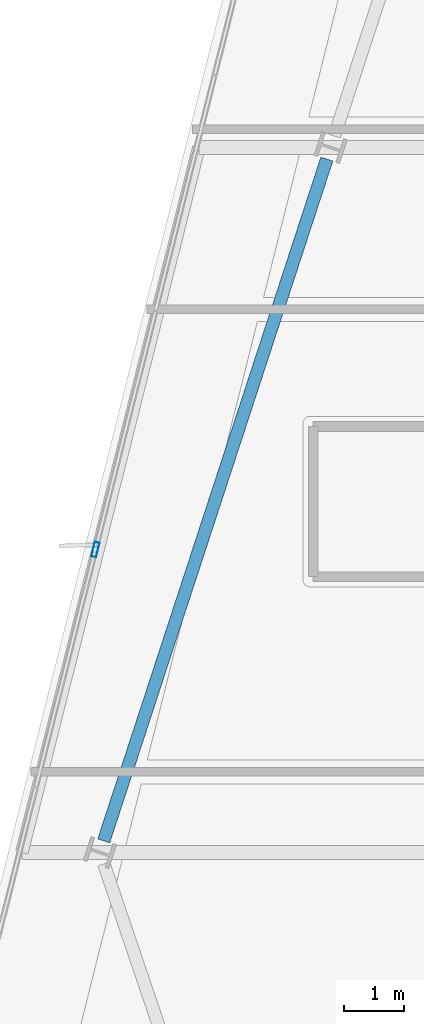
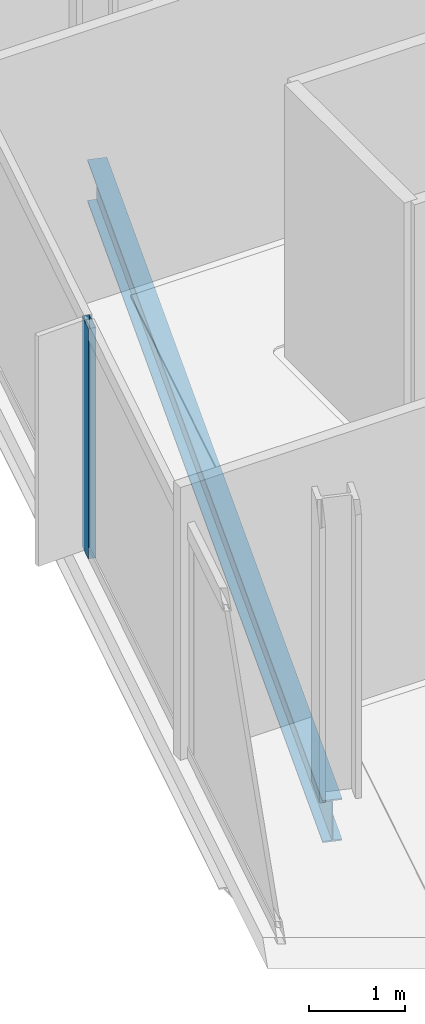
# One storey, part 6 of 28: 1 beam, 1 member, 1 element without a shape of its own.
"""IFC4 building model written with IfcOpenShell, lengths in metres."""

from ifc_helpers import new_model, si_unit, direction, frame, origin, origin_2d, place, context, subcontext, project, spatial, hollow_rectangle, i_section, extrude, material, material_profile, profile_set, type_object, element, aggregate, save


model = new_model("IFC4")

# Units and contexts
model_context = context("Model", 3, precision=1e-05, world=origin(), true_north=direction((0.0, 1.0)))
body_context = subcontext(model_context, "Body", "Model", "MODEL_VIEW")
ifc_project = project(units=[si_unit("LENGTHUNIT", "METRE"), si_unit("AREAUNIT", "SQUARE_METRE"), si_unit("VOLUMEUNIT", "CUBIC_METRE"), si_unit("PLANEANGLEUNIT", "RADIAN"), si_unit("MASSUNIT", "GRAM", prefix="KILO")], contexts=[model_context])

# Site, building, storey
site_placement = place(None, origin())
site = spatial("IfcSite", under=ifc_project, at=site_placement, CompositionType="ELEMENT")
building_placement = place(site_placement, origin())
building = spatial("IfcBuilding", under=site, at=building_placement, Name="Haldenkirk Collegiate Tower", CompositionType="ELEMENT")
storey_placement = place(building_placement, frame((0.0, 0.0, 282.449951171875)))
storey = spatial("IfcBuildingStorey", under=building, at=storey_placement, Name="L71", CompositionType="ELEMENT", Elevation=282.449951171875)

# Beam
ifc_material_1 = material(Name="Steel ASTM A992 Grade 50", Category="steel")
ifc_material_profile_1 = material_profile(ifc_material_1, i_section(OverallWidth=0.2099609375, OverallDepth=0.537109375, WebThickness=0.010986328125, FlangeThickness=0.017333984375, at=origin_2d()), Name="W21X68")
ifc_profile_set_1 = profile_set([ifc_material_profile_1], Name="Steel ASTM A992 Grade 50")
beam_type = type_object("IfcBeamType", Name="BM-SPANDREL-W21X68", PredefinedType="SPANDREL", material=ifc_profile_set_1)
beam_placement = place(storey_placement, frame((17.9267578125, 31.701171875, -0.538330078125), z_axis=(-0.311010188249, -0.950406577631, 0.0), x_axis=(0.950406577631, -0.311010188249, 0.0)))
element("IfcBeam", 1, at=beam_placement, inside=storey, type_object=beam_type, Name="L71 perimeter spandrel beam 11", PredefinedType="SPANDREL", context=body_context, shape_type="SweptSolid", body=[
    extrude(i_section(OverallWidth=0.2099609375, OverallDepth=0.537109375, WebThickness=0.010986328125, FlangeThickness=0.017333984375, at=origin_2d()), origin(), (0.0, 0.0, 1.0), 11.94287109375),
])

# Curtain wall, member
ifc_material_2 = material(Name="Anodised architectural bronze aluminium", Category="aluminium")
curtain_wall_type = type_object("IfcCurtainWallType", Name="CW-SYS1B-CONVEX-HI", PredefinedType="USERDEFINED", material=ifc_material_2)
curtain_wall_placement = place(storey_placement, origin())
curtain_wall = element("IfcCurtainWall", 2, at=curtain_wall_placement, inside=storey, type_object=curtain_wall_type, Name="L71 Upper tower high-wind convex bronze unitised curtain wall", ObjectType="UNITISED CURTAIN WALL", PredefinedType="USERDEFINED")
ifc_material_profile_2 = material_profile(ifc_material_2, hollow_rectangle(XDim=0.0849609375, YDim=0.25, WallThickness=0.0048828125, at=origin_2d()), Name="CW-MUL-1B")
ifc_profile_set_2 = profile_set([ifc_material_profile_2], Name="Anodised architectural bronze aluminium")
member_type = type_object("IfcMemberType", Name="CW-MUL-1B", PredefinedType="MULLION", material=ifc_profile_set_2)
member_placement = place(storey_placement, frame((14.07470703125, 25.20068359375, 0.0), z_axis=(0.0, 0.0, 1.0), x_axis=(-0.969872467161, 0.243613212786, 0.0)))
member = element("IfcMember", 3, at=member_placement, type_object=member_type, Name="CW-1B mullion 2", PredefinedType="MULLION", context=body_context, shape_type="SweptSolid", body=[
    extrude(hollow_rectangle(XDim=0.0849609375, YDim=0.25, WallThickness=0.0048828125, at=origin_2d()), origin(), (0.0, 0.0, 1.0), 2.93798828125),
])
aggregate(curtain_wall, [member])

save(model, "model.ifc")
